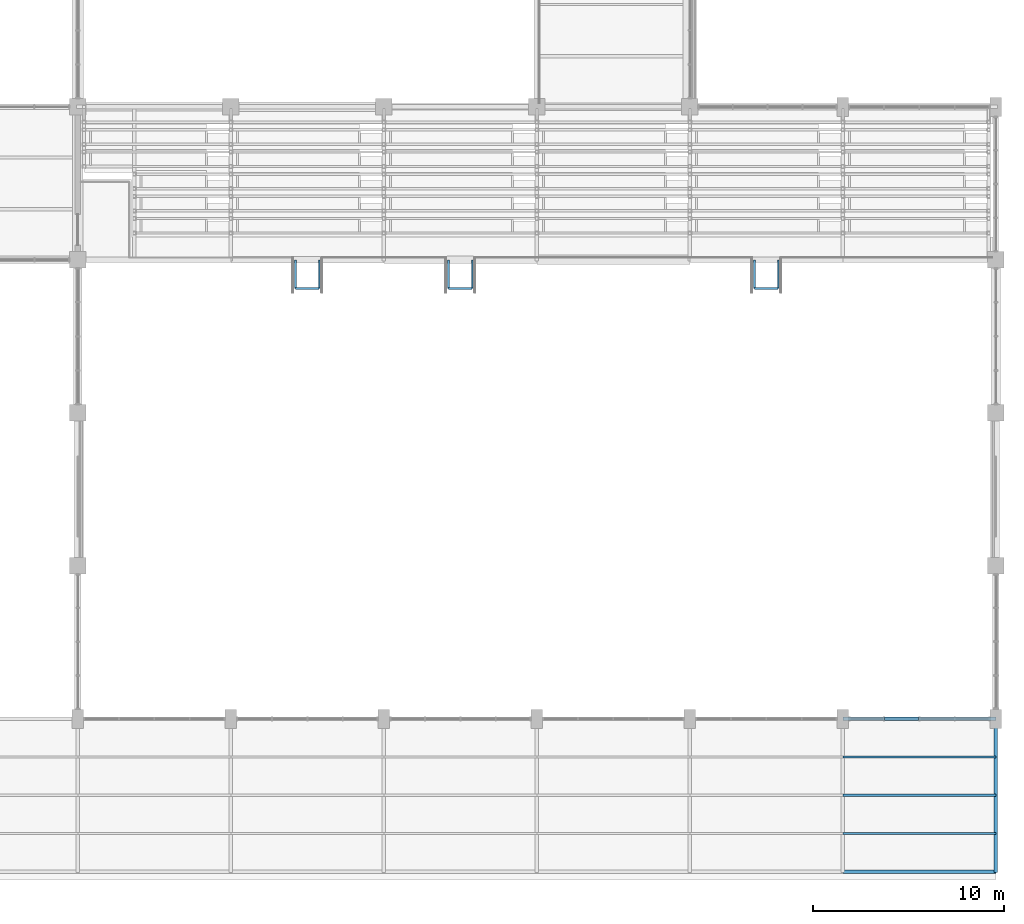
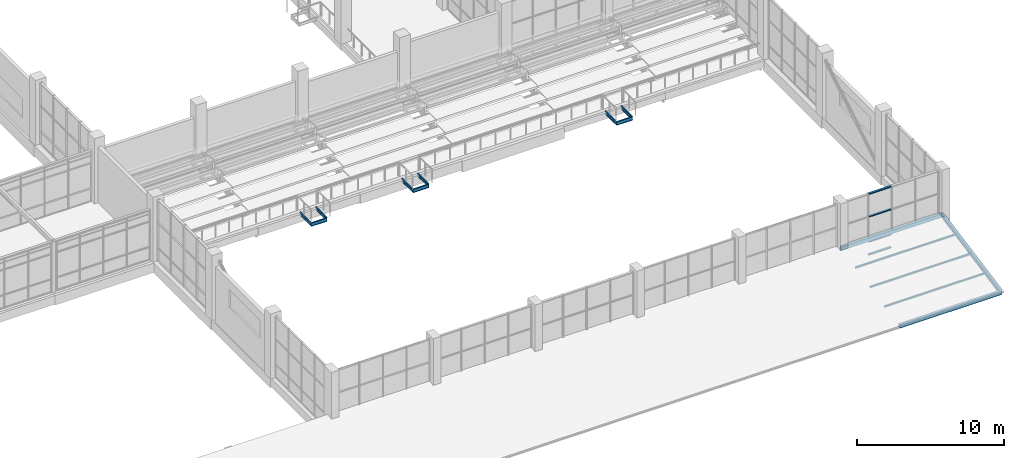
# One storey, part 52 of 122: 12 beams, 7 members, 1 element without a shape of its own.
"""IFC4 building model written with IfcOpenShell, lengths in metres."""

from ifc_helpers import new_model, si_unit, direction, frame, origin, origin_2d, place, context, subcontext, project, spatial, rectangle, hollow_rectangle, i_section, extrude, material, material_profile, profile_set, type_object, element, aggregate, save


model = new_model("IFC4")

# Units and contexts
model_context = context("Model", 3, precision=1e-05, world=origin(), true_north=direction((0.0, 1.0)))
body_context = subcontext(model_context, "Body", "Model", "MODEL_VIEW")
ifc_project = project(units=[si_unit("LENGTHUNIT", "METRE"), si_unit("AREAUNIT", "SQUARE_METRE"), si_unit("VOLUMEUNIT", "CUBIC_METRE"), si_unit("PLANEANGLEUNIT", "RADIAN"), si_unit("MASSUNIT", "GRAM", prefix="KILO")], contexts=[model_context])

# Site, building, storey
site_placement = place(None, origin())
site = spatial("IfcSite", under=ifc_project, at=site_placement, CompositionType="ELEMENT")
building_placement = place(site_placement, origin())
building = spatial("IfcBuilding", under=site, at=building_placement, Name="Tenunan Teduh Sports Hall", CompositionType="ELEMENT")
storey_placement = place(building_placement, frame((0.0, 0.0, 5.39990234375)))
storey = spatial("IfcBuildingStorey", under=building, at=storey_placement, Name="L01", CompositionType="ELEMENT", Elevation=5.39990234375)

# Curtain wall, members
ifc_material_1 = material(Name="Anodised aluminium", Category="aluminium")
curtain_wall_type = type_object("IfcCurtainWallType", Name="CW-UNIT-1", PredefinedType="NOTDEFINED", material=ifc_material_1)
curtain_wall_placement = place(storey_placement, origin())
curtain_wall = element("IfcCurtainWall", 1, at=curtain_wall_placement, inside=storey, type_object=curtain_wall_type, Name="CW-CWM-220-L01-013", PredefinedType="NOTDEFINED")
ifc_material_2 = material(Name="Anodised aluminium", Category="aluminium")
ifc_material_profile_1 = material_profile(ifc_material_2, rectangle(XDim=0.074951171875, YDim=0.179931640625, at=origin_2d()), Name="CWT 75x180")
ifc_profile_set_1 = profile_set([ifc_material_profile_1], Name="Anodised aluminium")
member_type_1 = type_object("IfcMemberType", Name="CWT-180", PredefinedType="USERDEFINED", material=ifc_profile_set_1)
member_1_placement = place(storey_placement, frame((164.1875, 14.0, 0.03759765625), z_axis=(1.0, 0.0, 0.0), x_axis=(0.0, 0.0, 1.0)))
member_1 = element("IfcMember", 2, at=member_1_placement, type_object=member_type_1, Name="CW-01 transom 2.1", ObjectType="TRANSOM", PredefinedType="USERDEFINED", context=body_context, shape_type="SweptSolid", body=[
    extrude(rectangle(XDim=0.074951171875, YDim=0.179931640625, at=origin_2d()), origin(), (0.0, 0.0, 1.0), 1.77490234375),
])
member_2_placement = place(storey_placement, frame((164.1875, 14.0, 1.10009765625), z_axis=(1.0, 0.0, 0.0), x_axis=(0.0, 0.0, 1.0)))
member_2 = element("IfcMember", 3, at=member_2_placement, type_object=member_type_1, Name="CW-01 transom 2.2", ObjectType="TRANSOM", PredefinedType="USERDEFINED", context=body_context, shape_type="SweptSolid", body=[
    extrude(rectangle(XDim=0.074951171875, YDim=0.179931640625, at=origin_2d()), origin(), (0.0, 0.0, 1.0), 1.77490234375),
])
member_3_placement = place(storey_placement, frame((164.1875, 14.0, 3.2001953125), z_axis=(1.0, 0.0, 0.0), x_axis=(0.0, 0.0, 1.0)))
member_3 = element("IfcMember", 4, at=member_3_placement, type_object=member_type_1, Name="CW-01 transom 2.3", ObjectType="TRANSOM", PredefinedType="USERDEFINED", context=body_context, shape_type="SweptSolid", body=[
    extrude(rectangle(XDim=0.074951171875, YDim=0.179931640625, at=origin_2d()), origin(), (0.0, 0.0, 1.0), 1.77490234375),
])
member_4_placement = place(storey_placement, frame((164.1875, 14.0, 5.08251953125), z_axis=(1.0, 0.0, 0.0), x_axis=(0.0, 0.0, 1.0)))
member_4 = element("IfcMember", 5, at=member_4_placement, type_object=member_type_1, Name="CW-01 transom 2.4", ObjectType="TRANSOM", PredefinedType="USERDEFINED", context=body_context, shape_type="SweptSolid", body=[
    extrude(rectangle(XDim=0.074951171875, YDim=0.179931640625, at=origin_2d()), origin(), (0.0, 0.0, 1.0), 1.77490234375),
])
aggregate(curtain_wall, [member_1, member_2, member_3, member_4])

# Members
ifc_material_3 = material(Name="Steel S355", Category="steel")
ifc_material_profile_2 = material_profile(ifc_material_3, hollow_rectangle(XDim=0.1201171875, YDim=0.1201171875, WallThickness=0.00634765625, at=origin_2d()), Name="SHS 120x120x6.3")
ifc_profile_set_2 = profile_set([ifc_material_profile_2], Name="Steel S355")
member_type_2 = type_object("IfcMemberType", Name="MEM-PR-SHS120", PredefinedType="PURLIN", material=ifc_profile_set_2)
for number, where, z_axis, x_axis, name in (
    (6, (162.0, 8.0, 0.1201171875), (1.0, 0.0, 0.0), (0.0, 1.0, 0.0), "MEM-PR-02-L01-1017"),
    (7, (162.0, 10.0, 0.52001953125), (1.0, 0.0, 0.0), (0.0, 1.0, 0.0), "MEM-PR-02-L01-1018"),
    (8, (162.0, 12.0, 0.920166015625), (1.0, 0.0, 0.0), (0.0, 1.0, 0.0), "MEM-PR-02-L01-1019"),
):
    element("IfcMember", number, at=place(storey_placement, frame(where, z_axis=z_axis, x_axis=x_axis)), inside=storey, type_object=member_type_2, Name=name, PredefinedType="PURLIN", context=body_context, shape_type="SweptSolid", body=[
        extrude(hollow_rectangle(XDim=0.1201171875, YDim=0.1201171875, WallThickness=0.00634765625, at=origin_2d()), origin(), (0.0, 0.0, 1.0), 7.996337890625),
    ])

# Beams
ifc_material_4 = material(Name="Steel S355", Category="steel")
ifc_material_profile_3 = material_profile(ifc_material_4, hollow_rectangle(XDim=0.199951171875, YDim=0.300048828125, WallThickness=0.010009765625, at=origin_2d()), Name="RHS 300x200x10.0")
ifc_profile_set_3 = profile_set([ifc_material_profile_3], Name="Steel S355")
beam_type_1 = type_object("IfcBeamType", Name="RBM-RHS300", PredefinedType="BEAM", material=ifc_profile_set_3)
for number, where, z_axis, x_axis, name in (
    (9, (162.0, 6.0, -0.27978515625), (1.0, 0.0, 0.0), (0.0, 1.0, 0.0), "Perimeter Ring Beam BM-RB-03-L01-0571"),
    (10, (162.0, 14.0, 1.320068359375), (1.0, 0.0, 0.0), (0.0, 1.0, 0.0), "Perimeter Ring Beam BM-RB-03-L01-0572"),
):
    element("IfcBeam", number, at=place(storey_placement, frame(where, z_axis=z_axis, x_axis=x_axis)), inside=storey, type_object=beam_type_1, Name=name, PredefinedType="BEAM", context=body_context, shape_type="SweptSolid", body=[
        extrude(hollow_rectangle(XDim=0.199951171875, YDim=0.300048828125, WallThickness=0.010009765625, at=origin_2d()), origin(), (0.0, 0.0, 1.0), 8.0),
    ])
ifc_material_5 = material(Name="Steel S355", Category="steel")
ifc_material_profile_4 = material_profile(ifc_material_5, i_section(OverallWidth=0.17138671875, OverallDepth=0.35498046875, WebThickness=0.00732421875, FlangeThickness=0.011474609375, FilletRadius=0.01025390625, at=origin_2d()), Name="UKB 356x171x51")
ifc_profile_set_4 = profile_set([ifc_material_profile_4], Name="Steel S355")
beam_type_2 = type_object("IfcBeamType", Name="SBM-UKB356", PredefinedType="BEAM", material=ifc_profile_set_4)
beam_placement = place(storey_placement, frame((170.0, 6.0, -0.2998046875), z_axis=(0.0, 0.98058412843, 0.196098870654), x_axis=(-1.0, 0.0, 0.0)))
element("IfcBeam", 11, at=beam_placement, inside=storey, type_object=beam_type_2, Name="BM-SB-02-L01-0573", PredefinedType="BEAM", context=body_context, shape_type="SweptSolid", body=[
    extrude(i_section(OverallWidth=0.17138671875, OverallDepth=0.35498046875, WebThickness=0.00732421875, FlangeThickness=0.011474609375, FilletRadius=0.01025390625, at=origin_2d()), origin(), (0.0, 0.0, 1.0), 8.158447265625),
])
ifc_material_6 = material(Name="Steel S355", Category="steel")
ifc_material_profile_5 = material_profile(ifc_material_6, i_section(OverallWidth=0.090087890625, OverallDepth=0.300048828125, WebThickness=0.008056640625, FlangeThickness=0.015380859375, FilletRadius=0.011962890625, at=origin_2d()), Name="PFC 300x90")
ifc_profile_set_5 = profile_set([ifc_material_profile_5], Name="Steel S355")
beam_type_3 = type_object("IfcBeamType", Name="STR-BM-STRINGER", PredefinedType="BEAM", material=ifc_profile_set_5)
for number, where, z_axis, x_axis, name in (
    (12, (133.3798828125, 36.5, -0.3349609375), (1.0, 0.0, 0.0), (0.0, 1.0, 0.0), "BM-SS-01-FST-1-OUT"),
    (13, (141.3798828125, 36.5, -0.3349609375), (1.0, 0.0, 0.0), (0.0, 1.0, 0.0), "BM-SS-01-FST-2-OUT"),
    (14, (157.3798828125, 36.5, -0.3349609375), (1.0, 0.0, 0.0), (0.0, 1.0, 0.0), "BM-SS-01-FST-3-OUT"),
):
    element("IfcBeam", number, at=place(storey_placement, frame(where, z_axis=z_axis, x_axis=x_axis)), inside=storey, type_object=beam_type_3, Name=name, PredefinedType="BEAM", context=body_context, shape_type="SweptSolid", body=[
        extrude(i_section(OverallWidth=0.090087890625, OverallDepth=0.300048828125, WebThickness=0.008056640625, FlangeThickness=0.015380859375, FilletRadius=0.011962890625, at=origin_2d()), origin(), (0.0, 0.0, 1.0), 1.240234375),
    ])
ifc_material_7 = material(Name="Steel S355", Category="steel")
ifc_material_profile_6 = material_profile(ifc_material_7, i_section(OverallWidth=0.090087890625, OverallDepth=0.260009765625, WebThickness=0.008056640625, FlangeThickness=0.013916015625, FilletRadius=0.011962890625, at=origin_2d()), Name="PFC 260x90")
ifc_profile_set_6 = profile_set([ifc_material_profile_6], Name="Steel S355")
beam_type_4 = type_object("IfcBeamType", Name="STR-BM-TRIM", PredefinedType="BEAM", material=ifc_profile_set_6)
for number, where, z_axis, x_axis, name in (
    (15, (133.3798828125, 36.5, -0.31201171875), (0.0, 1.0, 0.0), (-1.0, 0.0, 0.0), "BM-SS-02-FST-1-S1"),
    (16, (134.6201171875, 36.5, -0.31201171875), (0.0, 1.0, 0.0), (-1.0, 0.0, 0.0), "BM-SS-02-FST-1-S2"),
    (17, (141.3798828125, 36.5, -0.31201171875), (0.0, 1.0, 0.0), (-1.0, 0.0, 0.0), "BM-SS-02-FST-2-S1"),
    (18, (142.6201171875, 36.5, -0.31201171875), (0.0, 1.0, 0.0), (-1.0, 0.0, 0.0), "BM-SS-02-FST-2-S2"),
    (19, (157.3798828125, 36.5, -0.31201171875), (0.0, 1.0, 0.0), (-1.0, 0.0, 0.0), "BM-SS-02-FST-3-S1"),
    (20, (158.6201171875, 36.5, -0.31201171875), (0.0, 1.0, 0.0), (-1.0, 0.0, 0.0), "BM-SS-02-FST-3-S2"),
):
    element("IfcBeam", number, at=place(storey_placement, frame(where, z_axis=z_axis, x_axis=x_axis)), inside=storey, type_object=beam_type_4, Name=name, PredefinedType="BEAM", context=body_context, shape_type="SweptSolid", body=[
        extrude(i_section(OverallWidth=0.090087890625, OverallDepth=0.260009765625, WebThickness=0.008056640625, FlangeThickness=0.013916015625, FilletRadius=0.011962890625, at=origin_2d()), origin(), (0.0, 0.0, 1.0), 1.5),
    ])

save(model, "model.ifc")
